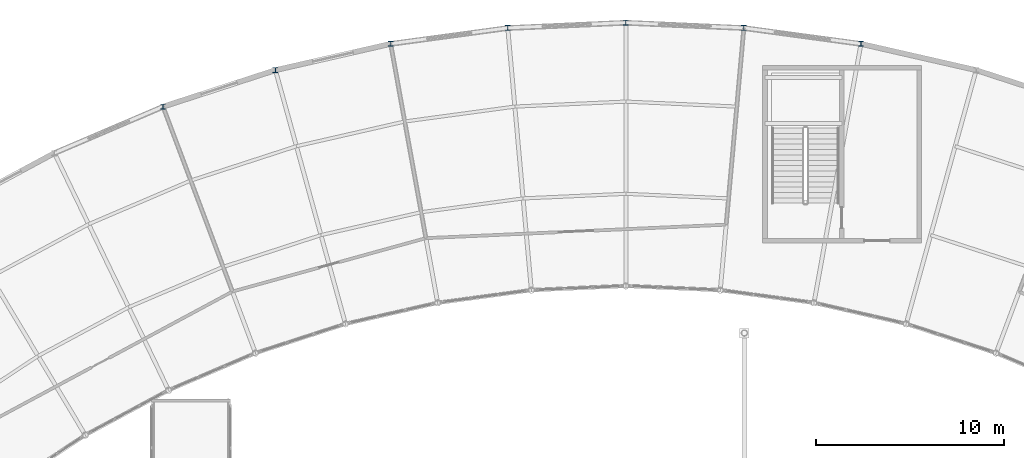
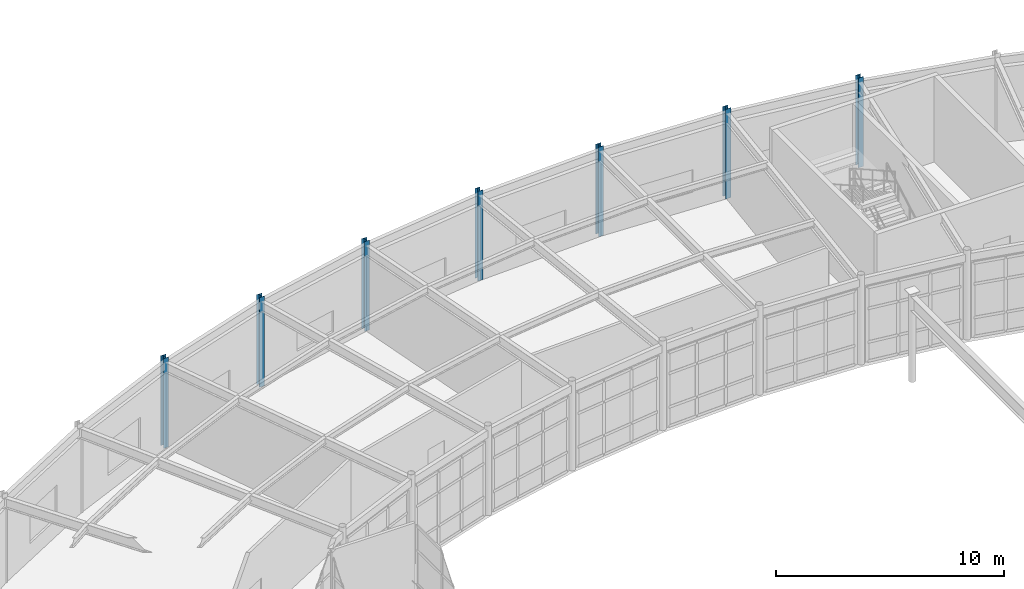
# One storey, part 15 of 116: 7 columns.
"""IFC4 building model written with IfcOpenShell, lengths in metres."""

from ifc_helpers import new_model, si_unit, direction, frame, origin, origin_2d, place, context, subcontext, project, spatial, i_section, extrude, material, material_profile, profile_set, type_object, element, save


model = new_model("IFC4")

# Units and contexts
model_context = context("Model", 3, precision=1e-05, world=origin(), true_north=direction((0.0, 1.0)))
body_context = subcontext(model_context, "Body", "Model", "MODEL_VIEW")
ifc_project = project(units=[si_unit("LENGTHUNIT", "METRE"), si_unit("AREAUNIT", "SQUARE_METRE"), si_unit("VOLUMEUNIT", "CUBIC_METRE"), si_unit("PLANEANGLEUNIT", "RADIAN"), si_unit("MASSUNIT", "GRAM", prefix="KILO")], contexts=[model_context])

# Site, building, storey
site_placement = place(None, origin())
site = spatial("IfcSite", under=ifc_project, at=site_placement, CompositionType="ELEMENT")
building_placement = place(site_placement, origin())
building = spatial("IfcBuilding", under=site, at=building_placement, Name="Selat Folded Stagehouse", CompositionType="ELEMENT")
storey_placement = place(building_placement, frame((0.0, 0.0, 5.39990234375)))
storey = spatial("IfcBuildingStorey", under=building, at=storey_placement, Name="L01", CompositionType="ELEMENT", Elevation=5.39990234375)

# Columns
ifc_material = material(Name="Steel S355", Category="steel")
ifc_material_profile = material_profile(ifc_material, i_section(OverallWidth=0.2587890625, OverallDepth=0.2666015625, WebThickness=0.0126953125, FlangeThickness=0.0205078125, FilletRadius=0.0126953125, at=origin_2d()), Name="UKC 254x254x107")
ifc_profile_set = profile_set([ifc_material_profile], Name="Steel S355")
column_type = type_object("IfcColumnType", Name="COL-UKC-254x254x107", PredefinedType="COLUMN", material=ifc_profile_set)
for number, where, z_axis, x_axis, name in (
    (1, (67.8037109375, 103.536376953125, 0.0), (0.0, 0.0, 1.0), (1.0, 0.0, 0.0), "L01 column STK-V6OUT-03"),
    (2, (73.77734375, 105.477294921875, 0.0), (0.0, 0.0, 1.0), (1.0, 0.0, 0.0), "L01 column STK-V6OUT-04"),
    (3, (79.90087890625, 106.875, 0.0), (0.0, 0.0, 1.0), (1.0, 0.0, 0.0), "L01 column STK-V6OUT-05"),
    (4, (86.125244140625, 107.71826171875, 0.0), (0.0, 0.0, 1.0), (1.0, 0.0, 0.0), "L01 column STK-V6OUT-06"),
    (5, (92.39990234375, 108.0, 0.0), (0.0, 0.0, 1.0), (1.0, 0.0, 0.0), "L01 column STK-V6OUT-07"),
    (6, (98.6748046875, 107.71826171875, 0.0), (0.0, 0.0, 1.0), (1.0, 0.0, 0.0), "L01 column STK-V6OUT-08"),
    (7, (104.89892578125, 106.875, 0.0), (0.0, 0.0, 1.0), (1.0, 0.0, 0.0), "L01 column STK-V6OUT-09"),
):
    element("IfcColumn", number, at=place(storey_placement, frame(where, z_axis=z_axis, x_axis=x_axis)), inside=storey, type_object=column_type, Name=name, PredefinedType="COLUMN", context=body_context, shape_type="SweptSolid", body=[
        extrude(i_section(OverallWidth=0.2587890625, OverallDepth=0.2666015625, WebThickness=0.0126953125, FlangeThickness=0.0205078125, FilletRadius=0.0126953125, at=origin_2d()), origin(), (0.0, 0.0, 1.0), 4.800048828125),
    ])

save(model, "model.ifc")
